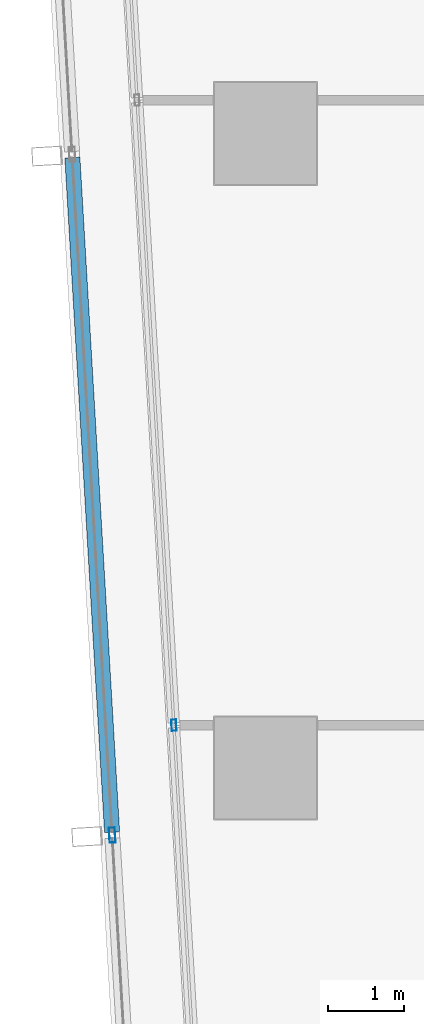
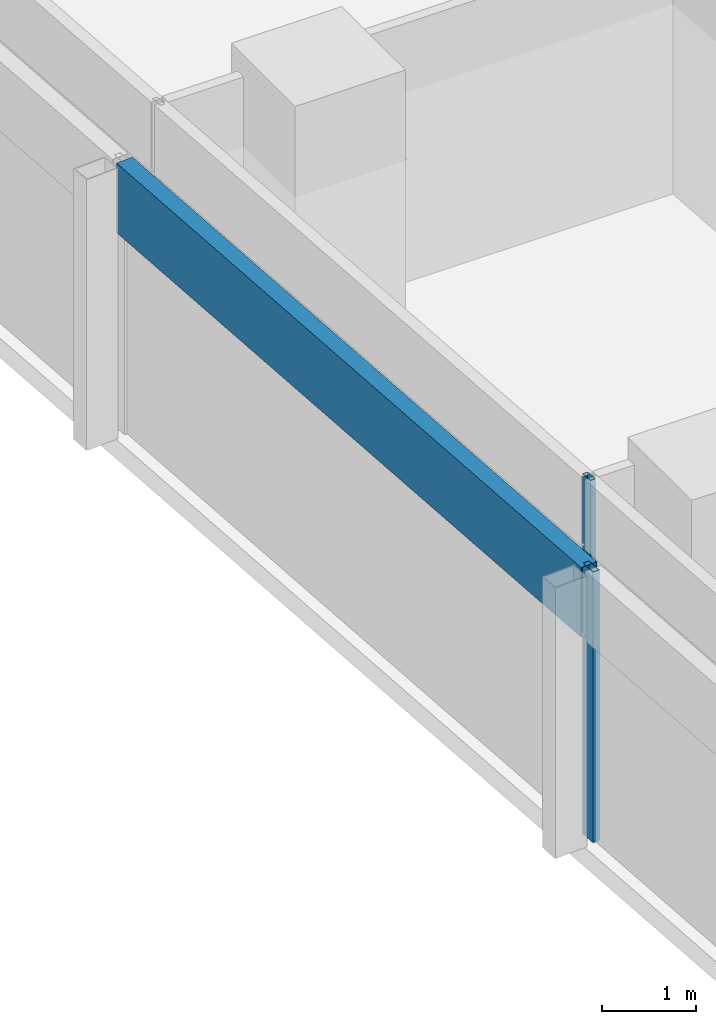
# One storey, part 5 of 39: 3 members, 2 elements without a shape of their own.
"""IFC4 building model written with IfcOpenShell, lengths in metres."""

from ifc_helpers import new_model, si_unit, direction, frame, origin, origin_2d, place, context, subcontext, project, spatial, hollow_rectangle, extrude, material, material_profile, profile_set, type_object, element, aggregate, save


model = new_model("IFC4")

# Units and contexts
model_context = context("Model", 3, precision=1e-05, world=origin(), true_north=direction((0.0, 1.0)))
body_context = subcontext(model_context, "Body", "Model", "MODEL_VIEW")
ifc_project = project(units=[si_unit("LENGTHUNIT", "METRE"), si_unit("AREAUNIT", "SQUARE_METRE"), si_unit("VOLUMEUNIT", "CUBIC_METRE"), si_unit("PLANEANGLEUNIT", "RADIAN"), si_unit("MASSUNIT", "GRAM", prefix="KILO")], contexts=[model_context])

# Site, building, storey
site_placement = place(None, origin())
site = spatial("IfcSite", under=ifc_project, at=site_placement, CompositionType="ELEMENT")
building_placement = place(site_placement, origin())
building = spatial("IfcBuilding", under=site, at=building_placement, Name="Rekha Terrace Tower", CompositionType="ELEMENT")
storey_placement = place(building_placement, frame((0.0, 0.0, 225.199951171875)))
storey = spatial("IfcBuildingStorey", under=building, at=storey_placement, Name="L57", CompositionType="ELEMENT", Elevation=225.199951171875)

# Curtain wall, member
ifc_material_1 = material(Name="Aluminium framing", Category="aluminium")
curtain_wall_type_1 = type_object("IfcCurtainWallType", Name="CW1 double skin inner glazing", PredefinedType="USERDEFINED", material=ifc_material_1)
curtain_wall_1_placement = place(storey_placement, origin())
curtain_wall_1 = element("IfcCurtainWall", 1, at=curtain_wall_1_placement, inside=storey, type_object=curtain_wall_type_1, Name="CW1 double skin inner glazing", ObjectType="DOUBLE SKIN INNER GLAZING", PredefinedType="USERDEFINED")
ifc_material_2 = material(Name="Aluminium mullion section", Category="aluminium")
ifc_material_profile_1 = material_profile(ifc_material_2, hollow_rectangle(XDim=0.06494140625, YDim=0.14990234375, WallThickness=0.00390625, at=origin_2d()), Name="AL RHS 65x150")
ifc_profile_set_1 = profile_set([ifc_material_profile_1], Name="Aluminium mullion section")
member_type_1 = type_object("IfcMemberType", Name="CW1 mullion RHS 65 x 150", PredefinedType="MULLION", material=ifc_profile_set_1)
member_1_placement = place(storey_placement, frame((7.18701171875, 25.76611328125, 0.0), z_axis=(0.0, 0.0, 1.0), x_axis=(0.998271839269, 0.058765082516, 0.0)))
member_1 = element("IfcMember", 2, at=member_1_placement, type_object=member_type_1, Name="CW1 mullion 3", PredefinedType="MULLION", context=body_context, shape_type="SweptSolid", body=[
    extrude(hollow_rectangle(XDim=0.06494140625, YDim=0.14990234375, WallThickness=0.00390625, at=origin_2d()), origin(), (0.0, 0.0, 1.0), 3.5),
])
aggregate(curtain_wall_1, [member_1])

# Curtain wall, members
curtain_wall_type_2 = type_object("IfcCurtainWallType", Name="CW2 double skin outer glazing", PredefinedType="USERDEFINED", material=ifc_material_1)
curtain_wall_2_placement = place(storey_placement, origin())
curtain_wall_2 = element("IfcCurtainWall", 3, at=curtain_wall_2_placement, inside=storey, type_object=curtain_wall_type_2, Name="CW2 double skin outer glazing", ObjectType="DOUBLE SKIN OUTER GLAZING", PredefinedType="USERDEFINED")
ifc_material_profile_2 = material_profile(ifc_material_2, hollow_rectangle(XDim=0.080078125, YDim=0.199951171875, WallThickness=0.00390625, at=origin_2d()), Name="AL RHS 80x200")
ifc_profile_set_2 = profile_set([ifc_material_profile_2], Name="Aluminium mullion section")
member_type_2 = type_object("IfcMemberType", Name="CW2 mullion RHS 80 x 200", PredefinedType="MULLION", material=ifc_profile_set_2)
member_2_placement = place(storey_placement, frame((6.370849609375, 24.31201171875, 0.0), z_axis=(0.0, 0.0, 1.0), x_axis=(0.99827183927, 0.058765082499, 0.0)))
member_2 = element("IfcMember", 4, at=member_2_placement, type_object=member_type_2, Name="CW2 mullion 3", PredefinedType="MULLION", context=body_context, shape_type="SweptSolid", body=[
    extrude(hollow_rectangle(XDim=0.080078125, YDim=0.199951171875, WallThickness=0.00390625, at=origin_2d()), origin(), (0.0, 0.0, 1.0), 3.5),
])
ifc_material_3 = material(Name="Insulated aluminium spandrel box", Category="aluminium")
ifc_material_profile_3 = material_profile(ifc_material_3, hollow_rectangle(XDim=0.199951171875, YDim=0.89990234375, WallThickness=0.0029296875, at=origin_2d()), Name="AL SPANDREL BOX 200x900")
ifc_profile_set_3 = profile_set([ifc_material_profile_3], Name="Insulated aluminium spandrel box")
member_type_3 = type_object("IfcMemberType", Name="CW2 spandrel transom 200 x 900", PredefinedType="USERDEFINED", material=ifc_profile_set_3)
member_3_placement = place(storey_placement, frame((5.843017578125, 33.27978515625, 3.050048828125), z_axis=(0.058773229711, -0.998271359636, 0.0), x_axis=(0.998271359636, 0.058773229711, 0.0)))
member_3 = element("IfcMember", 5, at=member_3_placement, type_object=member_type_3, Name="CW2 spandrel transom 2", ObjectType="TRANSOM", PredefinedType="USERDEFINED", context=body_context, shape_type="SweptSolid", body=[
    extrude(hollow_rectangle(XDim=0.199951171875, YDim=0.89990234375, WallThickness=0.0029296875, at=origin_2d()), origin(), (0.0, 0.0, 1.0), 8.943359375),
])
aggregate(curtain_wall_2, [member_2, member_3])

save(model, "model.ifc")
